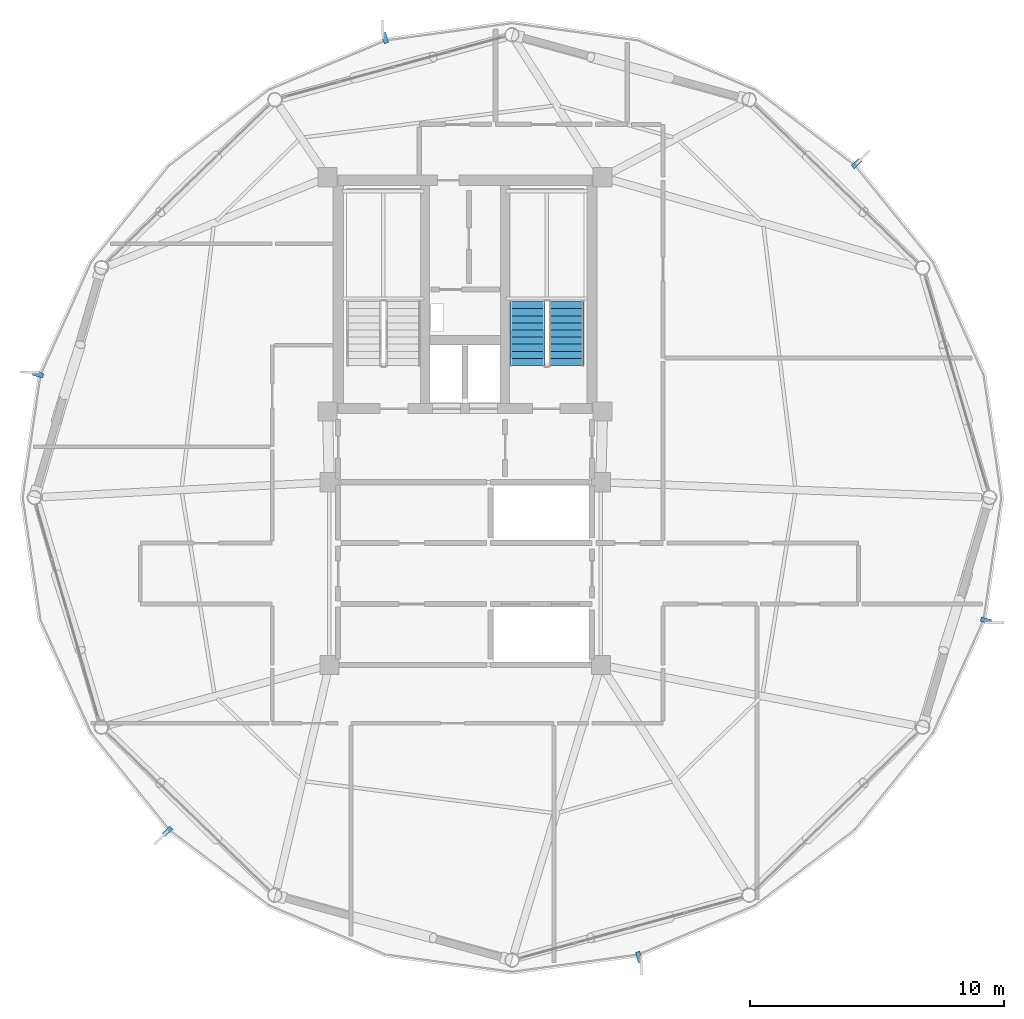
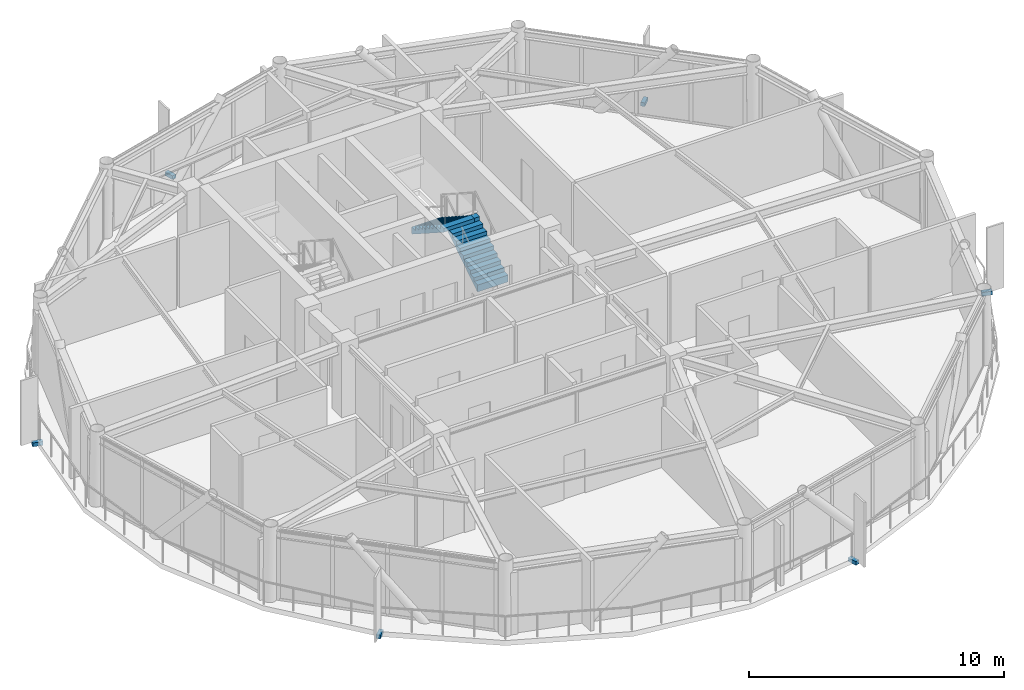
# One storey, part 24 of 27: 6 discrete accessories, 2 stair flights, 1 element without a shape of its own.
"""IFC4 building model written with IfcOpenShell, lengths in metres."""

from ifc_helpers import new_model, si_unit, direction, frame, origin, origin_2d, place, context, subcontext, project, spatial, polyline, rectangle, outline, extrude, source, transform, mapped, material, type_object, type_shapes, element, aggregate, save


model = new_model("IFC4")

# Units and contexts
model_context = context("Model", 3, precision=1e-05, world=origin(), true_north=direction((0.0, 1.0)))
body_context = subcontext(model_context, "Body", "Model", "MODEL_VIEW")
ifc_project = project(units=[si_unit("LENGTHUNIT", "METRE"), si_unit("AREAUNIT", "SQUARE_METRE"), si_unit("VOLUMEUNIT", "CUBIC_METRE"), si_unit("PLANEANGLEUNIT", "RADIAN"), si_unit("MASSUNIT", "GRAM", prefix="KILO")], contexts=[model_context])

# Site, building, storey
site_placement = place(None, origin())
site = spatial("IfcSite", under=ifc_project, at=site_placement, CompositionType="ELEMENT")
building_placement = place(site_placement, origin())
building = spatial("IfcBuilding", under=site, at=building_placement, Name="Varnakorn Sky Granary", CompositionType="ELEMENT")
storey_placement = place(building_placement, frame((0.0, 0.0, 229.199951171875)))
storey = spatial("IfcBuildingStorey", under=building, at=storey_placement, Name="L58", CompositionType="ELEMENT", Elevation=229.199951171875)

# Stair, stair flights
ifc_material_1 = material(Name="Concrete C40/50", Category="concrete")
stair_type = type_object("IfcStairType", Name="ST-MAIN-ASSEMBLY", PredefinedType="HALF_TURN_STAIR", material=ifc_material_1)
stair_placement = place(storey_placement, origin())
stair = element("IfcStair", 1, at=stair_placement, inside=storey, type_object=stair_type, Name="L58 Protected Exit Stair ST-2", PredefinedType="HALF_TURN_STAIR")
stair_flight_type = type_object("IfcStairFlightType", Name="ST-MAIN-FLIGHT", PredefinedType="STRAIGHT", material=ifc_material_1)
stair_flight_1_placement = place(storey_placement, frame((6.989990234375, 5.199951171875, 0.0), z_axis=(0.0, 0.0, 1.0), x_axis=(0.0, 1.0, 0.0)))
stair_flight_1 = element("IfcStairFlight", 2, at=stair_flight_1_placement, type_object=stair_flight_type, Name="ST-2 flight 1", NumberOfRisers=10, NumberOfTreads=9, PredefinedType="STRAIGHT", RiserHeight=0.18, TreadLength=0.28, context=body_context, shape_type="SweptSolid", body=[
    extrude(outline(polyline([(0.0, -0.14990234375), (0.0, 0.0), (0.0, 0.179931640625), (0.280029296875, 0.179931640625), (0.280029296875, 0.360107421875), (0.56005859375, 0.360107421875), (0.56005859375, 0.5400390625), (0.840087890625, 0.5400390625), (0.840087890625, 0.719970703125), (1.1201171875, 0.719970703125), (1.1201171875, 0.89990234375), (1.39990234375, 0.89990234375), (1.39990234375, 1.080078125), (1.679931640625, 1.080078125), (1.679931640625, 1.260009765625), (1.9599609375, 1.260009765625), (1.9599609375, 1.43994140625), (2.239990234375, 1.43994140625), (2.239990234375, 1.6201171875), (2.52001953125, 1.6201171875), (2.52001953125, 1.800048828125), (2.52001953125, 1.44189453125), (0.050048828125, -0.14990234375), (0.0, -0.14990234375)])), frame((0.0, 0.68994140625, 0.0), z_axis=(0.0, -1.0, 0.0), x_axis=(1.0, 0.0, 0.0)), (0.0, 0.0, 1.0), 1.3798828125),
])
stair_flight_2_placement = place(storey_placement, frame((5.4599609375, 7.719970703125, 1.800048828125), z_axis=(0.0, 0.0, 1.0), x_axis=(0.0, -1.0, 0.0)))
stair_flight_2 = element("IfcStairFlight", 3, at=stair_flight_2_placement, type_object=stair_flight_type, Name="ST-2 flight 2", NumberOfRisers=10, NumberOfTreads=9, PredefinedType="STRAIGHT", RiserHeight=0.18, TreadLength=0.28, context=body_context, shape_type="SweptSolid", body=[
    extrude(outline(polyline([(0.0, -0.14990234375), (0.0, 0.0), (0.0, 0.179931640625), (0.280029296875, 0.179931640625), (0.280029296875, 0.360107421875), (0.56005859375, 0.360107421875), (0.56005859375, 0.5400390625), (0.840087890625, 0.5400390625), (0.840087890625, 0.719970703125), (1.1201171875, 0.719970703125), (1.1201171875, 0.89990234375), (1.39990234375, 0.89990234375), (1.39990234375, 1.080078125), (1.679931640625, 1.080078125), (1.679931640625, 1.260009765625), (1.9599609375, 1.260009765625), (1.9599609375, 1.43994140625), (2.239990234375, 1.43994140625), (2.239990234375, 1.6201171875), (2.52001953125, 1.6201171875), (2.52001953125, 1.800048828125), (2.52001953125, 1.44189453125), (0.050048828125, -0.14990234375), (0.0, -0.14990234375)])), frame((0.0, 0.68994140625, 0.0), z_axis=(0.0, -1.0, 0.0), x_axis=(1.0, 0.0, 0.0)), (0.0, 0.0, 1.0), 1.3798828125),
])
aggregate(stair, [stair_flight_1, stair_flight_2])

# Discrete accessories
ifc_material_2 = material(Name="Steel S355JR", Category="steel")
discrete_accessory_type = type_object("IfcDiscreteAccessoryType", Name="AC-BRK-01", PredefinedType="BRACKET", material=ifc_material_2)
shared_shape = source(origin(), body_context, "Body", "SweptSolid", [
    extrude(rectangle(XDim=0.179931640625, YDim=0.419921875, at=origin_2d()), origin(), (0.0, 0.0, 1.0), 0.179931640625),
])
type_shapes(discrete_accessory_type, [shared_shape])
for number, where, z_axis, x_axis, name in (
    (4, (18.4306640625, 13.1591796875, -0.19970703125), (0.0, 0.0, 1.0), (-0.695880318363, 0.718157769932, 0.0), "Facade Solar-Screen Outrigger Bracket L58-02"),
    (5, (-0.15625, 18.10791015625, -0.19970703125), (0.0, 0.0, 1.0), (-0.963844059004, -0.266466939644, 0.0), "Facade Solar-Screen Outrigger Bracket L58-04"),
    (6, (-13.830078125, 4.851318359375, -0.19970703125), (0.0, 0.0, 1.0), (-0.251357133248, -0.967894411372, 0.0), "Facade Solar-Screen Outrigger Bracket L58-06"),
    (7, (-8.730712890625, -13.1591796875, -0.19970703125), (0.0, 0.0, 1.0), (0.695880318363, -0.718157769932, 0.0), "Facade Solar-Screen Outrigger Bracket L58-08"),
    (8, (9.856201171875, -18.10791015625, -0.19970703125), (0.0, 0.0, 1.0), (0.963844059004, 0.266466939644, 0.0), "Facade Solar-Screen Outrigger Bracket L58-10"),
    (9, (23.5302734375, -4.851318359375, -0.19970703125), (0.0, 0.0, 1.0), (0.251357133248, 0.967894411372, 0.0), "Facade Solar-Screen Outrigger Bracket L58-12"),
):
    element("IfcDiscreteAccessory", number, at=place(storey_placement, frame(where, z_axis=z_axis, x_axis=x_axis)), inside=storey, type_object=discrete_accessory_type, Name=name, PredefinedType="BRACKET", context=body_context, shape_type="MappedRepresentation", body=[
        mapped(shared_shape, transform((0.0, 0.0, 0.0), x_axis=(1.0, 0.0, 0.0), y_axis=(0.0, 1.0, 0.0), z_axis=(0.0, 0.0, 1.0), scale=1.0)),
    ])

save(model, "model.ifc")
